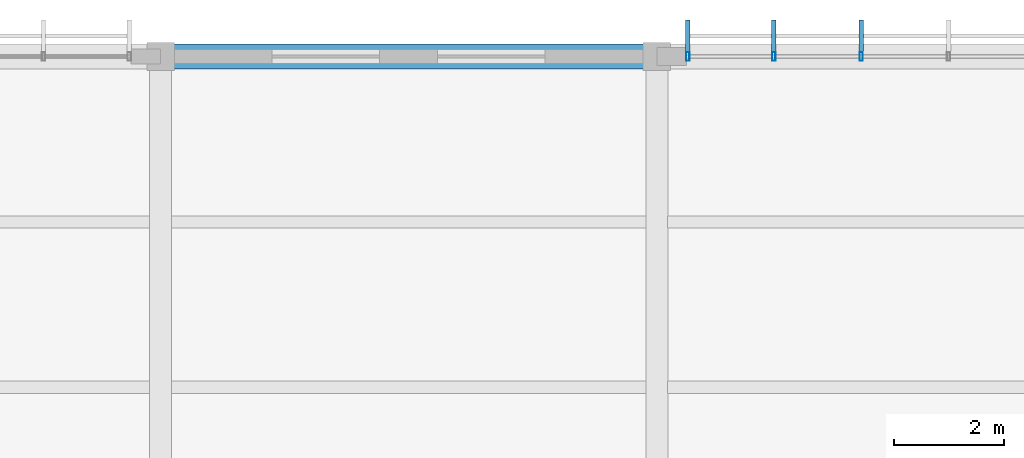
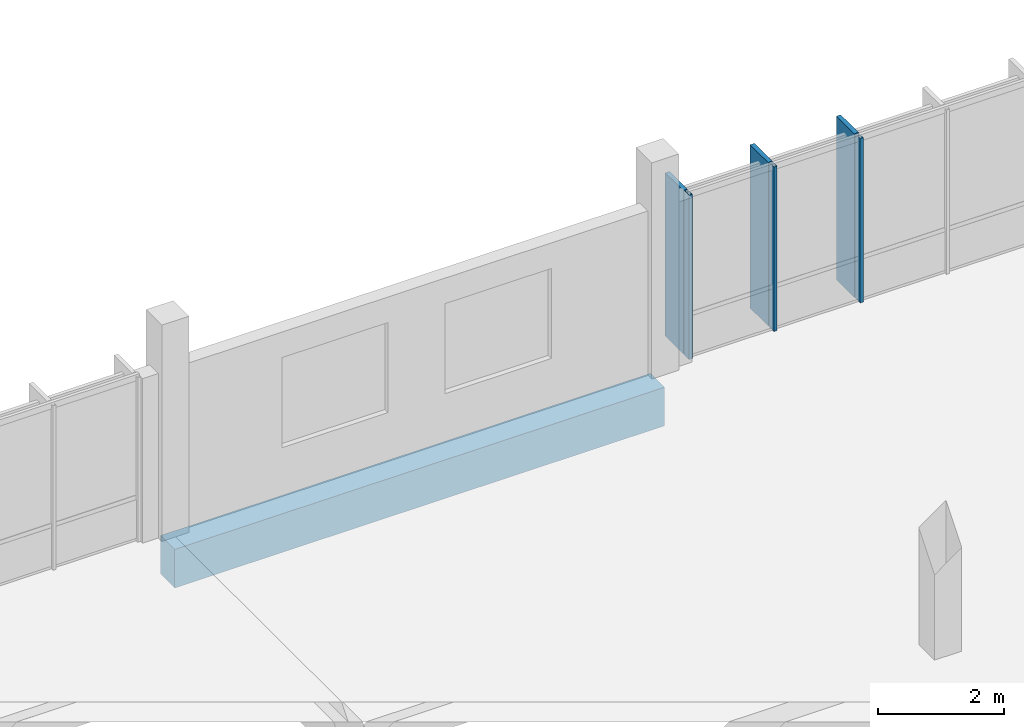
# One storey, part 72 of 107: 6 members, 1 beam, 1 element without a shape of its own.
"""IFC4 building model written with IfcOpenShell, lengths in metres."""

import ifcopenshell
import ifcopenshell.guid

model = None  # the IFC model being written
_history = None  # IfcOwnerHistory: only IFC2X3 demands one
_inside = {}  # id of a spatial element -> (the spatial element, [elements in it])
_under = {}  # id of a project, library or spatial element -> (it, [spatial elements below it])
_declared = {}  # id of a project -> (the project, [libraries it declares])
_typed = {}  # id of a type object -> (the type object, [elements of that type])
_made_of = {}  # id of a material, layer set ... -> (it, [elements and type objects made of it])


def new_model(schema):
    """Start an empty IFC model of exactly this schema.

    Asked for "IFC4X3", IfcOpenShell would pick the latest addendum, in which some entities
    have other attributes; the version numbers below select the first issue.
    IFC2X3 requires an IfcOwnerHistory on every rooted entity: one is made here for all.
    """
    global model, _history
    if schema == "IFC4X3":
        model = ifcopenshell.file(schema_version=(4, 3, 0, 0))
    else:
        model = ifcopenshell.file(schema=schema)
    _inside.clear()
    _under.clear()
    _declared.clear()
    _typed.clear()
    _made_of.clear()
    _history = None
    if model.schema == "IFC2X3":
        org = make("IfcOrganization", Name="unknown")
        user = make(
            "IfcPersonAndOrganization",
            ThePerson=make("IfcPerson", FamilyName="unknown"),
            TheOrganization=org,
        )
        app = make(
            "IfcApplication",
            ApplicationDeveloper=org,
            Version="unknown",
            ApplicationFullName="unknown",
            ApplicationIdentifier="unknown",
        )
        _history = make(
            "IfcOwnerHistory",
            OwningUser=user,
            OwningApplication=app,
            ChangeAction="ADDED",
            CreationDate=0,
        )
    return model


def make(cls, **values):
    """One entity of the class cls with the attributes given. An attribute that is None is left unset."""
    return model.create_entity(
        cls, **{name: value for name, value in values.items() if value is not None}
    )


def rooted(cls, **values):
    """An entity with a GlobalId (a new one), such as an element, a storey or a relation."""
    return make(cls, GlobalId=ifcopenshell.guid.new(), OwnerHistory=_history, **values)


def si_unit(unit_type, name, prefix=None):
    """IfcSIUnit, for example si_unit("LENGTHUNIT", "METRE", prefix="MILLI")."""
    return make("IfcSIUnit", UnitType=unit_type, Prefix=prefix, Name=name)


def assignment(units):
    """IfcUnitAssignment: the units of a project."""
    return None if units is None else make("IfcUnitAssignment", Units=units)


def point(xyz):
    """IfcCartesianPoint."""
    return None if xyz is None else make("IfcCartesianPoint", Coordinates=xyz)


def direction(xyz):
    """IfcDirection."""
    return None if xyz is None else make("IfcDirection", DirectionRatios=xyz)


def frame(location, z_axis=None, x_axis=None):
    """IfcAxis2Placement3D, a coordinate frame: its origin and axes. An axis left out is left unset."""
    return make(
        "IfcAxis2Placement3D",
        Location=point(location),
        Axis=direction(z_axis),
        RefDirection=direction(x_axis),
    )


def frame_2d(location, x_axis=None):
    """IfcAxis2Placement2D, a coordinate frame in the plane: its origin and x axis."""
    return make(
        "IfcAxis2Placement2D", Location=point(location), RefDirection=direction(x_axis)
    )


def origin():
    """The frame at (0, 0, 0) with its axes left unset."""
    return frame((0.0, 0.0, 0.0))


def origin_2d():
    """The frame at (0, 0) in the plane with its x axis left unset."""
    return frame_2d((0.0, 0.0))


def place(relative_to, where):
    """IfcLocalPlacement: puts the frame where relative to a parent placement (None: the world)."""
    return make(
        "IfcLocalPlacement", PlacementRelTo=relative_to, RelativePlacement=where
    )


def context(
    kind, dimensions, precision=None, world=None, true_north=None, identifier=None
):
    """IfcGeometricRepresentationContext, for example the 3D "Model" context."""
    return make(
        "IfcGeometricRepresentationContext",
        ContextIdentifier=identifier,
        ContextType=kind,
        CoordinateSpaceDimension=dimensions,
        Precision=precision,
        WorldCoordinateSystem=world,
        TrueNorth=true_north,
    )


def subcontext(parent, identifier, kind, view, scale=None):
    """IfcGeometricRepresentationSubContext, for example "Body" below "Model"."""
    return make(
        "IfcGeometricRepresentationSubContext",
        ContextIdentifier=identifier,
        ContextType=kind,
        ParentContext=parent,
        TargetScale=scale,
        TargetView=view,
    )


def project(units=None, contexts=None):
    """IfcProject with its units and contexts."""
    return rooted(
        "IfcProject",
        Name="project",
        RepresentationContexts=contexts,
        UnitsInContext=assignment(units),
    )


def spatial(cls, under=None, at=None, **own):
    """A site, building, storey or space (cls), placed at a placement, below another one or the project."""
    s = rooted(cls, ObjectPlacement=at, **own)
    if under is not None:
        _under.setdefault(under.id(), (under, []))[1].append(s)
    return s


def profile(cls, at=None, kind="AREA", **sizes):
    """A parametric profile (cls). Its sizes go by their IFC names, for example OverallWidth=200.0."""
    return make(cls, ProfileType=kind, Position=at, **sizes)


def rectangle(**sizes):
    """IfcRectangleProfileDef."""
    return profile("IfcRectangleProfileDef", **sizes)


def hollow_rectangle(**sizes):
    """IfcRectangleHollowProfileDef."""
    return profile("IfcRectangleHollowProfileDef", **sizes)


def extrude(swept, where, along, depth):
    """IfcExtrudedAreaSolid: the profile swept, set in the frame where, extruded along a direction by depth."""
    return make(
        "IfcExtrudedAreaSolid",
        SweptArea=swept,
        Position=where,
        ExtrudedDirection=direction(along),
        Depth=depth,
    )


def shape(context_of_items, identifier, shape_type, items):
    """IfcShapeRepresentation: the items that make up one representation, for example the "Body"."""
    return make(
        "IfcShapeRepresentation",
        ContextOfItems=context_of_items,
        RepresentationIdentifier=identifier,
        RepresentationType=shape_type,
        Items=items,
    )


def material(Name=None, Category=None):
    """IfcMaterial."""
    return make("IfcMaterial", Name=Name, Category=Category)


def material_profile(
    of_material, cross_section, Name=None, Category=None, Priority=None
):
    """IfcMaterialProfile: a cross section and its material."""
    return make(
        "IfcMaterialProfile",
        Name=Name,
        Material=of_material,
        Profile=cross_section,
        Priority=Priority,
        Category=Category,
    )


def profile_set(profiles, Name=None, composite=None):
    """IfcMaterialProfileSet."""
    return make(
        "IfcMaterialProfileSet",
        Name=Name,
        MaterialProfiles=profiles,
        CompositeProfile=composite,
    )


def made_of(thing, what):
    """Note that an element or type object is made of a material, layer set ...; save() writes the relation."""
    if what is not None:
        _made_of.setdefault(what.id(), (what, []))[1].append(thing)
    return thing


def type_object(cls, material=None, **own):
    """A type object (cls), such as IfcWallType, which elements share."""
    return made_of(rooted(cls, **own), material)


def element(
    cls,
    number,
    at=None,
    inside=None,
    cuts=None,
    type_object=None,
    material=None,
    context=None,
    identifier="Body",
    shape_type=None,
    held_by="IfcProductDefinitionShape",
    body=None,
    shapes=None,
    **own,
):
    """One element of the class cls, such as IfcWall. Its Tag is "e" and its number.

    at: its placement. inside: the storey or other place that contains it. cuts: it is an
    opening in that element (IfcRelVoidsElement). A single representation is given by context,
    identifier, shape_type and body (its items); several are given by shapes. held_by: the class
    of the entity that holds the representations. save() writes the other relations.
    """
    e = rooted(cls, Tag="e%d" % number, ObjectPlacement=at, **own)
    if body is not None:
        shapes = [shape(context, identifier, shape_type, body)]
    if shapes is not None:
        e.Representation = make(held_by, Representations=shapes)
    if inside is not None:
        _inside.setdefault(inside.id(), (inside, []))[1].append(e)
    if cuts is not None:
        rooted(
            "IfcRelVoidsElement", RelatingBuildingElement=cuts, RelatedOpeningElement=e
        )
    if type_object is not None:
        _typed.setdefault(type_object.id(), (type_object, []))[1].append(e)
    return made_of(e, material)


def aggregate(whole, parts):
    """IfcRelAggregates: a whole, such as a stair, and the parts it consists of."""
    return rooted("IfcRelAggregates", RelatingObject=whole, RelatedObjects=parts)


def save(model, path):
    """Write the relations noted so far, then the file.

    IfcRelAggregates (storeys below a building ...), IfcRelContainedInSpatialStructure (elements
    in a storey), IfcRelDefinesByType, IfcRelAssociatesMaterial and IfcRelDeclares: one each for
    every whole, place, type object, material and project.
    """
    for whole, parts in _under.values():
        aggregate(whole, parts)
    for where, things in _inside.values():
        rooted(
            "IfcRelContainedInSpatialStructure",
            RelatedElements=things,
            RelatingStructure=where,
        )
    for kind, things in _typed.values():
        rooted("IfcRelDefinesByType", RelatedObjects=things, RelatingType=kind)
    for what, things in _made_of.values():
        rooted("IfcRelAssociatesMaterial", RelatedObjects=things, RelatingMaterial=what)
    for by, libraries in _declared.values():
        rooted("IfcRelDeclares", RelatingContext=by, RelatedDefinitions=libraries)
    model.write(path)


model = new_model("IFC4")

# Units and contexts
model_context = context("Model", 3, precision=1e-05, world=origin(), true_north=direction((0.0, 1.0)))
body_context = subcontext(model_context, "Body", "Model", "MODEL_VIEW")
ifc_project = project(units=[si_unit("LENGTHUNIT", "METRE"), si_unit("AREAUNIT", "SQUARE_METRE"), si_unit("VOLUMEUNIT", "CUBIC_METRE"), si_unit("PLANEANGLEUNIT", "RADIAN"), si_unit("MASSUNIT", "GRAM", prefix="KILO")], contexts=[model_context])

# Site, building, storey
site_placement = place(None, origin())
site = spatial("IfcSite", under=ifc_project, at=site_placement, CompositionType="ELEMENT")
building_placement = place(site_placement, origin())
building = spatial("IfcBuilding", under=site, at=building_placement, Name="Chiffa Square Polytechnic", CompositionType="ELEMENT")
storey_placement = place(building_placement, frame((0.0, 0.0, 13.800048828125)))
storey = spatial("IfcBuildingStorey", under=building, at=storey_placement, Name="L03", CompositionType="ELEMENT", Elevation=13.800048828125)

# Beam
ifc_material_1 = material(Name="Concrete C35/45", Category="concrete")
ifc_material_profile_1 = material_profile(ifc_material_1, rectangle(XDim=0.449951171875, YDim=0.75, at=origin_2d()), Name="RC 450x750")
ifc_profile_set_1 = profile_set([ifc_material_profile_1], Name="Concrete C35/45")
beam_type = type_object("IfcBeamType", Name="BM-RC-450X750", PredefinedType="BEAM", material=ifc_profile_set_1)
beam_placement = place(storey_placement, frame((84.60009765625, 130.800048828125, -0.635009765625), z_axis=(1.0, 0.0, 0.0), x_axis=(0.0, 1.0, 0.0)))
element("IfcBeam", 1, at=beam_placement, inside=storey, type_object=beam_type, Name="Primary floor girder BM-V5-L03-X-0846-1308", PredefinedType="BEAM", context=body_context, shape_type="SweptSolid", body=[
    extrude(rectangle(XDim=0.449951171875, YDim=0.75, at=origin_2d()), origin(), (0.0, 0.0, 1.0), 9.0),
])

# Curtain wall, members
ifc_material_2 = material(Name="Aluminium EN AW-6060 T66 and glulam shading", Category="wood")
curtain_wall_type = type_object("IfcCurtainWallType", Name="CW-VERT-600X440", PredefinedType="USERDEFINED", material=ifc_material_2)
curtain_wall_placement = place(storey_placement, origin())
curtain_wall = element("IfcCurtainWall", 2, at=curtain_wall_placement, inside=storey, type_object=curtain_wall_type, Name="Curtain wall CW-V5-L03-233", ObjectType="CURTAIN WALL", PredefinedType="USERDEFINED")
ifc_material_3 = material(Name="Aluminium EN AW-6060 T66", Category="aluminium")
ifc_material_profile_2 = material_profile(ifc_material_3, hollow_rectangle(XDim=0.06005859375, YDim=0.159912109375, WallThickness=0.00390625, at=origin_2d()), Name="ALU 60x160x4")
ifc_profile_set_2 = profile_set([ifc_material_profile_2], Name="Aluminium EN AW-6060 T66")
member_type_1 = type_object("IfcMemberType", Name="CWM-ALU-65X150", PredefinedType="MULLION", material=ifc_profile_set_2)
member_1_placement = place(storey_placement, frame((97.30810546875, 130.800048828125, 0.0), z_axis=(0.0, 0.0, 1.0), x_axis=(1.0, 0.0, 0.0)))
member_1 = element("IfcMember", 3, at=member_1_placement, type_object=member_type_1, Name="Curtain wall mullion CW-V5-L03-233-M03", PredefinedType="MULLION", context=body_context, shape_type="SweptSolid", body=[
    extrude(hollow_rectangle(XDim=0.06005859375, YDim=0.159912109375, WallThickness=0.00390625, at=origin_2d()), origin(), (0.0, 0.0, 1.0), 3.195068359375),
])
member_2_placement = place(storey_placement, frame((95.72412109375, 130.800048828125, 0.0), z_axis=(0.0, 0.0, 1.0), x_axis=(1.0, 0.0, 0.0)))
member_2 = element("IfcMember", 4, at=member_2_placement, type_object=member_type_1, Name="Curtain wall mullion CW-V5-L03-233-M04", PredefinedType="MULLION", context=body_context, shape_type="SweptSolid", body=[
    extrude(hollow_rectangle(XDim=0.06005859375, YDim=0.159912109375, WallThickness=0.00390625, at=origin_2d()), origin(), (0.0, 0.0, 1.0), 3.195068359375),
])
member_3_placement = place(storey_placement, frame((94.1650390625, 130.800048828125, 0.0), z_axis=(0.0, 0.0, 1.0), x_axis=(1.0, 0.0, 0.0)))
member_3 = element("IfcMember", 5, at=member_3_placement, type_object=member_type_1, Name="Curtain wall mullion CW-V5-L03-233-M05", PredefinedType="MULLION", context=body_context, shape_type="SweptSolid", body=[
    extrude(hollow_rectangle(XDim=0.06005859375, YDim=0.159912109375, WallThickness=0.00390625, at=origin_2d()), origin(), (0.0, 0.0, 1.0), 3.195068359375),
])
ifc_material_4 = material(Name="Glulam GL28h", Category="wood")
ifc_material_profile_3 = material_profile(ifc_material_4, rectangle(XDim=0.080078125, YDim=0.580078125, at=origin_2d()), Name="GL28h 80x580")
ifc_profile_set_3 = profile_set([ifc_material_profile_3], Name="Glulam GL28h")
member_type_2 = type_object("IfcMemberType", Name="CWM-GL-80X580", PredefinedType="MULLION", material=ifc_profile_set_3)
member_4_placement = place(storey_placement, frame((97.30810546875, 131.172119140625, 0.010009765625), z_axis=(0.0, 0.0, 1.0), x_axis=(-1.0, 0.0, 0.0)))
member_4 = element("IfcMember", 6, at=member_4_placement, type_object=member_type_2, Name="Exterior glulam solar fin CW-V5-L03-233-FN03", PredefinedType="MULLION", context=body_context, shape_type="SweptSolid", body=[
    extrude(rectangle(XDim=0.080078125, YDim=0.580078125, at=origin_2d()), origin(), (0.0, 0.0, 1.0), 3.175048828125),
])
member_5_placement = place(storey_placement, frame((95.72412109375, 131.172119140625, 0.010009765625), z_axis=(0.0, 0.0, 1.0), x_axis=(-1.0, 0.0, 0.0)))
member_5 = element("IfcMember", 7, at=member_5_placement, type_object=member_type_2, Name="Exterior glulam solar fin CW-V5-L03-233-FN04", PredefinedType="MULLION", context=body_context, shape_type="SweptSolid", body=[
    extrude(rectangle(XDim=0.080078125, YDim=0.580078125, at=origin_2d()), origin(), (0.0, 0.0, 1.0), 3.175048828125),
])
member_6_placement = place(storey_placement, frame((94.1650390625, 131.172119140625, 0.010009765625), z_axis=(0.0, 0.0, 1.0), x_axis=(-1.0, 0.0, 0.0)))
member_6 = element("IfcMember", 8, at=member_6_placement, type_object=member_type_2, Name="Exterior glulam solar fin CW-V5-L03-233-FN05", PredefinedType="MULLION", context=body_context, shape_type="SweptSolid", body=[
    extrude(rectangle(XDim=0.080078125, YDim=0.580078125, at=origin_2d()), origin(), (0.0, 0.0, 1.0), 3.175048828125),
])
aggregate(curtain_wall, [member_1, member_4, member_2, member_5, member_3, member_6])

save(model, "model.ifc")
